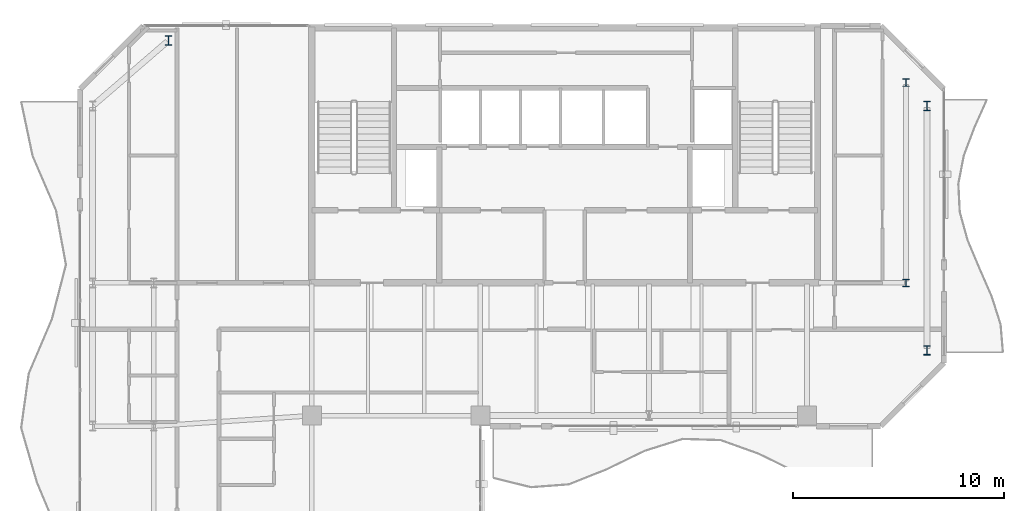
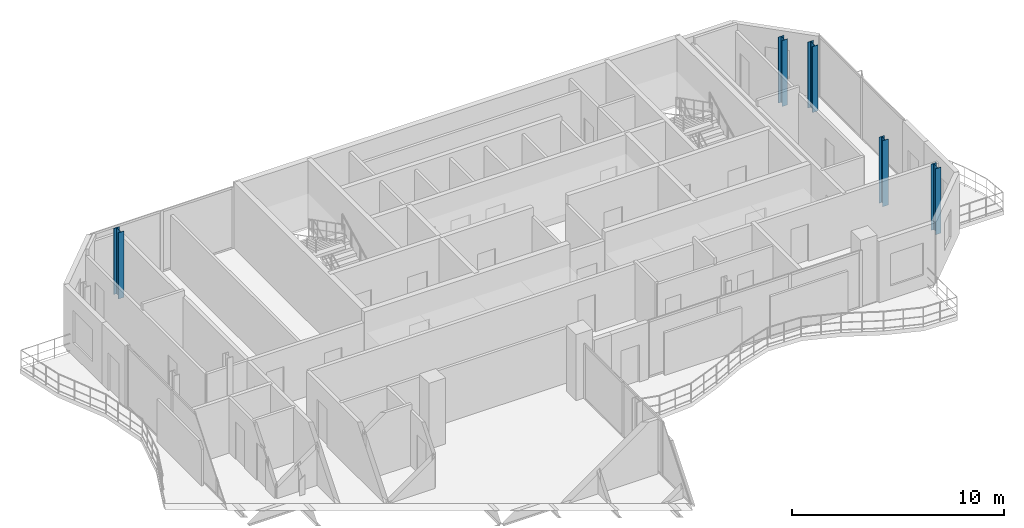
# One storey, part 2 of 23: 5 columns.
"""IFC4 building model written with IfcOpenShell, lengths in metres."""

from ifc_helpers import new_model, si_unit, direction, frame, origin, origin_2d, place, context, subcontext, project, spatial, i_section, extrude, material, material_profile, profile_set, type_object, element, save


model = new_model("IFC4")

# Units and contexts
model_context = context("Model", 3, precision=1e-05, world=origin(), true_north=direction((0.0, 1.0)))
body_context = subcontext(model_context, "Body", "Model", "MODEL_VIEW")
ifc_project = project(units=[si_unit("LENGTHUNIT", "METRE"), si_unit("AREAUNIT", "SQUARE_METRE"), si_unit("VOLUMEUNIT", "CUBIC_METRE"), si_unit("PLANEANGLEUNIT", "RADIAN"), si_unit("MASSUNIT", "GRAM", prefix="KILO")], contexts=[model_context])

# Site, building, storey
site_placement = place(None, origin())
site = spatial("IfcSite", under=ifc_project, at=site_placement, CompositionType="ELEMENT")
building_placement = place(site_placement, origin())
building = spatial("IfcBuilding", under=site, at=building_placement, Name="Catumbela Crestline Tower", CompositionType="ELEMENT")
storey_placement = place(building_placement, frame((0.0, 0.0, 241.2)))
storey = spatial("IfcBuildingStorey", under=building, at=storey_placement, Name="L62", CompositionType="ELEMENT", Elevation=241.2)

# Columns
ifc_material = material(Name="Structural steel S355J2", Category="steel")
ifc_material_profile_1 = material_profile(ifc_material, i_section(OverallWidth=0.3, OverallDepth=0.36, WebThickness=0.0125, FlangeThickness=0.0225, FilletRadius=0.027, at=origin_2d()), Name="HEB 360")
ifc_profile_set_1 = profile_set([ifc_material_profile_1], Name="Structural steel S355J2")
column_type_1 = type_object("IfcColumnType", Name="C-ST-HEB360", PredefinedType="COLUMN", material=ifc_profile_set_1)
for number, where, z_axis, x_axis, name in (
    (1, (44.2, 30.8, 0.0), (0.0, 0.0, 1.0), (1.0, 0.0, 0.0), "L62 Column CT-46-31 (HEB 360)"),
    (2, (44.2, 40.3, 0.0), (0.0, 0.0, 1.0), (1.0, 0.0, 0.0), "L62 Column CT-46-37 (HEB 360)"),
):
    element("IfcColumn", number, at=place(storey_placement, frame(where, z_axis=z_axis, x_axis=x_axis)), inside=storey, type_object=column_type_1, Name=name, PredefinedType="COLUMN", context=body_context, shape_type="SweptSolid", body=[
        extrude(i_section(OverallWidth=0.3, OverallDepth=0.36, WebThickness=0.0125, FlangeThickness=0.0225, FilletRadius=0.027, at=origin_2d()), origin(), (0.0, 0.0, 1.0), 3.8),
    ])
ifc_material_profile_2 = material_profile(ifc_material, i_section(OverallWidth=0.3, OverallDepth=0.45, WebThickness=0.014, FlangeThickness=0.026, FilletRadius=0.027, at=origin_2d()), Name="HEB 450")
ifc_profile_set_2 = profile_set([ifc_material_profile_2], Name="Structural steel S355J2")
column_type_2 = type_object("IfcColumnType", Name="C-ST-HEB450", PredefinedType="COLUMN", material=ifc_profile_set_2)
for number, where, z_axis, x_axis, name in (
    (3, (9.2, 42.3, 0.0), (0.0, 0.0, 1.0), (1.0, 0.0, 0.0), "L62 Column C-08-43 (HEB 450)"),
    (4, (45.2, 27.6, 0.0), (0.0, 0.0, 1.0), (1.0, 0.0, 0.0), "L62 Column C-46-24 (HEB 450)"),
    (5, (45.2, 39.2, 0.0), (0.0, 0.0, 1.0), (1.0, 0.0, 0.0), "L62 Column C-46-43 (HEB 450)"),
):
    element("IfcColumn", number, at=place(storey_placement, frame(where, z_axis=z_axis, x_axis=x_axis)), inside=storey, type_object=column_type_2, Name=name, PredefinedType="COLUMN", context=body_context, shape_type="SweptSolid", body=[
        extrude(i_section(OverallWidth=0.3, OverallDepth=0.45, WebThickness=0.014, FlangeThickness=0.026, FilletRadius=0.027, at=origin_2d()), origin(), (0.0, 0.0, 1.0), 3.8),
    ])

save(model, "model.ifc")
